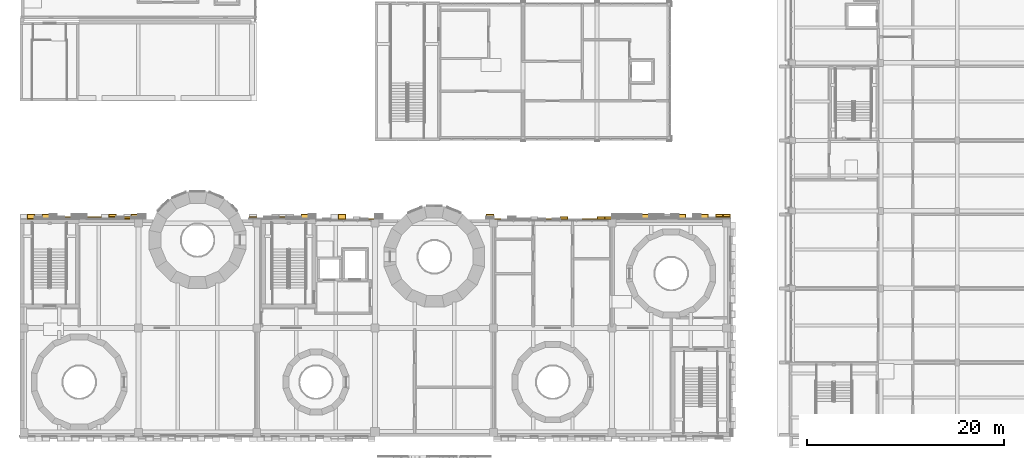
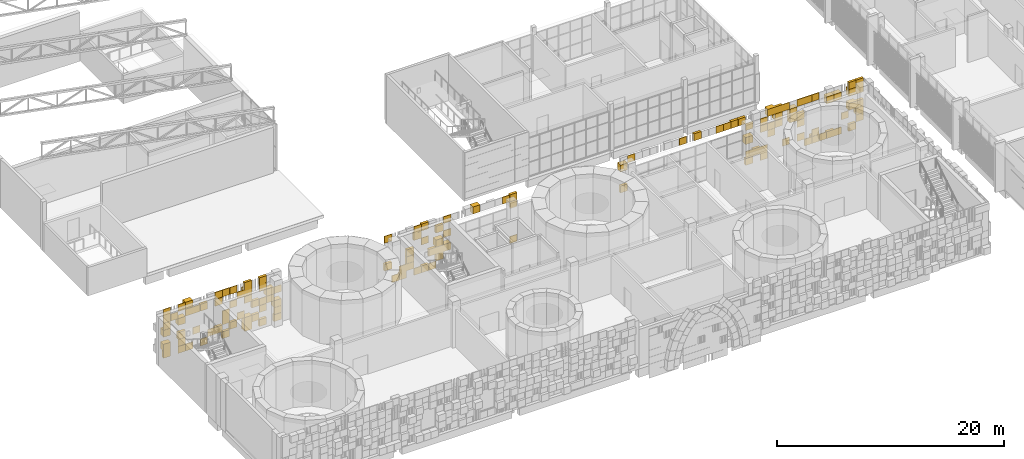
# One storey, part 99 of 125: 2 coverings.
"""IFC4 building model written with IfcOpenShell, lengths in metres."""

from ifc_helpers import new_model, si_unit, direction, frame, origin, origin_2d, place, context, subcontext, project, spatial, rectangle, extrude, material, layer, layer_set, type_object, element, save


model = new_model("IFC4")

# Units and contexts
model_context = context("Model", 3, precision=1e-05, world=origin(), true_north=direction((0.0, 1.0)))
body_context = subcontext(model_context, "Body", "Model", "MODEL_VIEW")
ifc_project = project(units=[si_unit("LENGTHUNIT", "METRE"), si_unit("AREAUNIT", "SQUARE_METRE"), si_unit("VOLUMEUNIT", "CUBIC_METRE"), si_unit("PLANEANGLEUNIT", "RADIAN"), si_unit("MASSUNIT", "GRAM", prefix="KILO")], contexts=[model_context])

# Site, building, storey
site_placement = place(None, origin())
site = spatial("IfcSite", under=ifc_project, at=site_placement, CompositionType="ELEMENT")
building_placement = place(site_placement, origin())
building = spatial("IfcBuilding", under=site, at=building_placement, Name="Sun Court Science Centre", CompositionType="ELEMENT")
storey_placement = place(building_placement, frame((0.0, 0.0, 6.0)))
storey = spatial("IfcBuildingStorey", under=building, at=storey_placement, Name="L01", CompositionType="ELEMENT", Elevation=6.0)

# Coverings
ifc_material_1 = material(Name="Terracotta shade 2", Category="masonry")
ifc_layer_1 = layer(ifc_material_1, 0.06005859375)
ifc_layer_set_1 = layer_set([ifc_layer_1], Name="Terracotta shade 2")
covering_type_1 = type_object("IfcCoveringType", Name="Terracotta pixel panel shade 2", PredefinedType="CLADDING", material=ifc_layer_set_1)
covering_1_placement = place(storey_placement, frame((0.0, 0.0, -6.0)))
element("IfcCovering", 1, at=covering_1_placement, inside=storey, type_object=covering_type_1, Name="Terracotta pixel cladding shade 2 north face L01", PredefinedType="CLADDING", context=body_context, shape_type="SweptSolid", body=[
    extrude(rectangle(XDim=0.739990234375, YDim=0.06005859375, at=origin_2d()), frame((2.625, 28.030029296875, 6.0048828125), z_axis=(0.0, 0.0, 1.0), x_axis=(1.0, 0.0, 0.0)), (0.0, 0.0, 1.0), 0.739990234375),
    extrude(rectangle(XDim=0.739990234375, YDim=0.260009765625, at=origin_2d()), frame((10.875, 28.1298828125, 6.0048828125), z_axis=(0.0, 0.0, 1.0), x_axis=(1.0, 0.0, 0.0)), (0.0, 0.0, 1.0), 0.739990234375),
    extrude(rectangle(XDim=0.739990234375, YDim=0.260009765625, at=origin_2d()), frame((12.375, 28.1298828125, 6.0048828125), z_axis=(0.0, 0.0, 1.0), x_axis=(1.0, 0.0, 0.0)), (0.0, 0.0, 1.0), 0.739990234375),
    extrude(rectangle(XDim=0.739990234375, YDim=0.06005859375, at=origin_2d()), frame((24.375, 28.030029296875, 6.0048828125), z_axis=(0.0, 0.0, 1.0), x_axis=(1.0, 0.0, 0.0)), (0.0, 0.0, 1.0), 0.739990234375),
    extrude(rectangle(XDim=0.739990234375, YDim=0.260009765625, at=origin_2d()), frame((25.125, 28.1298828125, 6.0048828125), z_axis=(0.0, 0.0, 1.0), x_axis=(1.0, 0.0, 0.0)), (0.0, 0.0, 1.0), 0.739990234375),
    extrude(rectangle(XDim=0.739990234375, YDim=0.260009765625, at=origin_2d()), frame((27.375, 28.1298828125, 6.0048828125), z_axis=(0.0, 0.0, 1.0), x_axis=(1.0, 0.0, 0.0)), (0.0, 0.0, 1.0), 0.739990234375),
    extrude(rectangle(XDim=0.739990234375, YDim=0.06005859375, at=origin_2d()), frame((36.375, 28.030029296875, 6.0048828125), z_axis=(0.0, 0.0, 1.0), x_axis=(1.0, 0.0, 0.0)), (0.0, 0.0, 1.0), 0.739990234375),
    extrude(rectangle(XDim=0.739990234375, YDim=0.06005859375, at=origin_2d()), frame((61.875, 28.030029296875, 6.0048828125), z_axis=(0.0, 0.0, 1.0), x_axis=(1.0, 0.0, 0.0)), (0.0, 0.0, 1.0), 0.739990234375),
    extrude(rectangle(XDim=0.739990234375, YDim=0.510009765625, at=origin_2d()), frame((67.125, 28.2548828125, 6.0048828125), z_axis=(0.0, 0.0, 1.0), x_axis=(1.0, 0.0, 0.0)), (0.0, 0.0, 1.0), 0.739990234375),
    extrude(rectangle(XDim=0.739990234375, YDim=0.06005859375, at=origin_2d()), frame((67.875, 28.030029296875, 6.0048828125), z_axis=(0.0, 0.0, 1.0), x_axis=(1.0, 0.0, 0.0)), (0.0, 0.0, 1.0), 0.739990234375),
    extrude(rectangle(XDim=0.739990234375, YDim=0.06005859375, at=origin_2d()), frame((5.625, 28.030029296875, 6.7548828125), z_axis=(0.0, 0.0, 1.0), x_axis=(1.0, 0.0, 0.0)), (0.0, 0.0, 1.0), 0.739990234375),
    extrude(rectangle(XDim=0.739990234375, YDim=0.260009765625, at=origin_2d()), frame((6.375, 28.1298828125, 6.7548828125), z_axis=(0.0, 0.0, 1.0), x_axis=(1.0, 0.0, 0.0)), (0.0, 0.0, 1.0), 0.739990234375),
    extrude(rectangle(XDim=0.739990234375, YDim=0.260009765625, at=origin_2d()), frame((7.875, 28.1298828125, 6.7548828125), z_axis=(0.0, 0.0, 1.0), x_axis=(1.0, 0.0, 0.0)), (0.0, 0.0, 1.0), 0.739990234375),
    extrude(rectangle(XDim=0.739990234375, YDim=0.260009765625, at=origin_2d()), frame((10.125, 28.1298828125, 6.7548828125), z_axis=(0.0, 0.0, 1.0), x_axis=(1.0, 0.0, 0.0)), (0.0, 0.0, 1.0), 0.739990234375),
    extrude(rectangle(XDim=0.739990234375, YDim=0.06005859375, at=origin_2d()), frame((25.125, 28.030029296875, 6.7548828125), z_axis=(0.0, 0.0, 1.0), x_axis=(1.0, 0.0, 0.0)), (0.0, 0.0, 1.0), 0.739990234375),
    extrude(rectangle(XDim=0.739990234375, YDim=0.260009765625, at=origin_2d()), frame((25.875, 28.1298828125, 6.7548828125), z_axis=(0.0, 0.0, 1.0), x_axis=(1.0, 0.0, 0.0)), (0.0, 0.0, 1.0), 0.739990234375),
    extrude(rectangle(XDim=0.739990234375, YDim=0.260009765625, at=origin_2d()), frame((28.875, 28.1298828125, 6.7548828125), z_axis=(0.0, 0.0, 1.0), x_axis=(1.0, 0.0, 0.0)), (0.0, 0.0, 1.0), 0.739990234375),
    extrude(rectangle(XDim=0.739990234375, YDim=0.06005859375, at=origin_2d()), frame((60.375, 28.030029296875, 6.7548828125), z_axis=(0.0, 0.0, 1.0), x_axis=(1.0, 0.0, 0.0)), (0.0, 0.0, 1.0), 0.739990234375),
    extrude(rectangle(XDim=0.739990234375, YDim=0.260009765625, at=origin_2d()), frame((61.125, 28.1298828125, 6.7548828125), z_axis=(0.0, 0.0, 1.0), x_axis=(1.0, 0.0, 0.0)), (0.0, 0.0, 1.0), 0.739990234375),
    extrude(rectangle(XDim=0.739990234375, YDim=0.06005859375, at=origin_2d()), frame((61.875, 28.030029296875, 6.7548828125), z_axis=(0.0, 0.0, 1.0), x_axis=(1.0, 0.0, 0.0)), (0.0, 0.0, 1.0), 0.739990234375),
    extrude(rectangle(XDim=0.739990234375, YDim=0.06005859375, at=origin_2d()), frame((64.125, 28.030029296875, 6.7548828125), z_axis=(0.0, 0.0, 1.0), x_axis=(1.0, 0.0, 0.0)), (0.0, 0.0, 1.0), 0.739990234375),
    extrude(rectangle(XDim=0.739990234375, YDim=0.06005859375, at=origin_2d()), frame((65.625, 28.030029296875, 6.7548828125), z_axis=(0.0, 0.0, 1.0), x_axis=(1.0, 0.0, 0.0)), (0.0, 0.0, 1.0), 0.739990234375),
    extrude(rectangle(XDim=0.739990234375, YDim=0.06005859375, at=origin_2d()), frame((67.125, 28.030029296875, 6.7548828125), z_axis=(0.0, 0.0, 1.0), x_axis=(1.0, 0.0, 0.0)), (0.0, 0.0, 1.0), 0.739990234375),
    extrude(rectangle(XDim=0.739990234375, YDim=0.06005859375, at=origin_2d()), frame((71.625, 28.030029296875, 6.7548828125), z_axis=(0.0, 0.0, 1.0), x_axis=(1.0, 0.0, 0.0)), (0.0, 0.0, 1.0), 0.739990234375),
    extrude(rectangle(XDim=0.739990234375, YDim=0.06005859375, at=origin_2d()), frame((4.125, 28.030029296875, 7.5048828125), z_axis=(0.0, 0.0, 1.0), x_axis=(1.0, 0.0, 0.0)), (0.0, 0.0, 1.0), 0.739990234375),
    extrude(rectangle(XDim=0.739990234375, YDim=0.06005859375, at=origin_2d()), frame((7.125, 28.030029296875, 7.5048828125), z_axis=(0.0, 0.0, 1.0), x_axis=(1.0, 0.0, 0.0)), (0.0, 0.0, 1.0), 0.739990234375),
    extrude(rectangle(XDim=0.739990234375, YDim=0.06005859375, at=origin_2d()), frame((8.625, 28.030029296875, 7.5048828125), z_axis=(0.0, 0.0, 1.0), x_axis=(1.0, 0.0, 0.0)), (0.0, 0.0, 1.0), 0.739990234375),
    extrude(rectangle(XDim=0.739990234375, YDim=0.06005859375, at=origin_2d()), frame((10.875, 28.030029296875, 7.5048828125), z_axis=(0.0, 0.0, 1.0), x_axis=(1.0, 0.0, 0.0)), (0.0, 0.0, 1.0), 0.739990234375),
    extrude(rectangle(XDim=0.739990234375, YDim=0.260009765625, at=origin_2d()), frame((25.875, 28.1298828125, 7.5048828125), z_axis=(0.0, 0.0, 1.0), x_axis=(1.0, 0.0, 0.0)), (0.0, 0.0, 1.0), 0.739990234375),
    extrude(rectangle(XDim=0.739990234375, YDim=0.260009765625, at=origin_2d()), frame((28.125, 28.1298828125, 7.5048828125), z_axis=(0.0, 0.0, 1.0), x_axis=(1.0, 0.0, 0.0)), (0.0, 0.0, 1.0), 0.739990234375),
    extrude(rectangle(XDim=0.739990234375, YDim=0.06005859375, at=origin_2d()), frame((28.875, 28.030029296875, 7.5048828125), z_axis=(0.0, 0.0, 1.0), x_axis=(1.0, 0.0, 0.0)), (0.0, 0.0, 1.0), 0.739990234375),
    extrude(rectangle(XDim=0.739990234375, YDim=0.510009765625, at=origin_2d()), frame((29.625, 28.2548828125, 7.5048828125), z_axis=(0.0, 0.0, 1.0), x_axis=(1.0, 0.0, 0.0)), (0.0, 0.0, 1.0), 0.739990234375),
    extrude(rectangle(XDim=0.739990234375, YDim=0.06005859375, at=origin_2d()), frame((70.125, 28.030029296875, 7.5048828125), z_axis=(0.0, 0.0, 1.0), x_axis=(1.0, 0.0, 0.0)), (0.0, 0.0, 1.0), 0.739990234375),
    extrude(rectangle(XDim=0.739990234375, YDim=0.510009765625, at=origin_2d()), frame((1.125, 28.2548828125, 8.2548828125), z_axis=(0.0, 0.0, 1.0), x_axis=(1.0, 0.0, 0.0)), (0.0, 0.0, 1.0), 0.739990234375),
    extrude(rectangle(XDim=0.739990234375, YDim=0.06005859375, at=origin_2d()), frame((7.125, 28.030029296875, 8.2548828125), z_axis=(0.0, 0.0, 1.0), x_axis=(1.0, 0.0, 0.0)), (0.0, 0.0, 1.0), 0.739990234375),
    extrude(rectangle(XDim=0.739990234375, YDim=0.260009765625, at=origin_2d()), frame((10.125, 28.1298828125, 8.2548828125), z_axis=(0.0, 0.0, 1.0), x_axis=(1.0, 0.0, 0.0)), (0.0, 0.0, 1.0), 0.739990234375),
    extrude(rectangle(XDim=0.739990234375, YDim=0.06005859375, at=origin_2d()), frame((11.625, 28.030029296875, 8.2548828125), z_axis=(0.0, 0.0, 1.0), x_axis=(1.0, 0.0, 0.0)), (0.0, 0.0, 1.0), 0.739990234375),
    extrude(rectangle(XDim=0.739990234375, YDim=0.510009765625, at=origin_2d()), frame((70.875, 28.2548828125, 8.2548828125), z_axis=(0.0, 0.0, 1.0), x_axis=(1.0, 0.0, 0.0)), (0.0, 0.0, 1.0), 0.739990234375),
    extrude(rectangle(XDim=0.739990234375, YDim=0.06005859375, at=origin_2d()), frame((9.375, 28.030029296875, 9.0048828125), z_axis=(0.0, 0.0, 1.0), x_axis=(1.0, 0.0, 0.0)), (0.0, 0.0, 1.0), 0.739990234375),
    extrude(rectangle(XDim=0.739990234375, YDim=0.06005859375, at=origin_2d()), frame((12.375, 28.030029296875, 9.0048828125), z_axis=(0.0, 0.0, 1.0), x_axis=(1.0, 0.0, 0.0)), (0.0, 0.0, 1.0), 0.739990234375),
    extrude(rectangle(XDim=0.739990234375, YDim=0.06005859375, at=origin_2d()), frame((27.375, 28.030029296875, 9.0048828125), z_axis=(0.0, 0.0, 1.0), x_axis=(1.0, 0.0, 0.0)), (0.0, 0.0, 1.0), 0.739990234375),
    extrude(rectangle(XDim=0.739990234375, YDim=0.06005859375, at=origin_2d()), frame((29.625, 28.030029296875, 9.0048828125), z_axis=(0.0, 0.0, 1.0), x_axis=(1.0, 0.0, 0.0)), (0.0, 0.0, 1.0), 0.739990234375),
    extrude(rectangle(XDim=0.739990234375, YDim=0.06005859375, at=origin_2d()), frame((61.875, 28.030029296875, 9.0048828125), z_axis=(0.0, 0.0, 1.0), x_axis=(1.0, 0.0, 0.0)), (0.0, 0.0, 1.0), 0.739990234375),
    extrude(rectangle(XDim=0.739990234375, YDim=0.06005859375, at=origin_2d()), frame((63.375, 28.030029296875, 9.0048828125), z_axis=(0.0, 0.0, 1.0), x_axis=(1.0, 0.0, 0.0)), (0.0, 0.0, 1.0), 0.739990234375),
    extrude(rectangle(XDim=0.739990234375, YDim=0.260009765625, at=origin_2d()), frame((65.625, 28.1298828125, 9.0048828125), z_axis=(0.0, 0.0, 1.0), x_axis=(1.0, 0.0, 0.0)), (0.0, 0.0, 1.0), 0.739990234375),
    extrude(rectangle(XDim=0.739990234375, YDim=0.06005859375, at=origin_2d()), frame((1.125, 28.030029296875, 9.7548828125), z_axis=(0.0, 0.0, 1.0), x_axis=(1.0, 0.0, 0.0)), (0.0, 0.0, 1.0), 0.739990234375),
    extrude(rectangle(XDim=0.739990234375, YDim=0.06005859375, at=origin_2d()), frame((1.875, 28.030029296875, 9.7548828125), z_axis=(0.0, 0.0, 1.0), x_axis=(1.0, 0.0, 0.0)), (0.0, 0.0, 1.0), 0.739990234375),
    extrude(rectangle(XDim=0.739990234375, YDim=0.06005859375, at=origin_2d()), frame((10.875, 28.030029296875, 9.7548828125), z_axis=(0.0, 0.0, 1.0), x_axis=(1.0, 0.0, 0.0)), (0.0, 0.0, 1.0), 0.739990234375),
    extrude(rectangle(XDim=0.739990234375, YDim=0.260009765625, at=origin_2d()), frame((28.875, 28.1298828125, 9.7548828125), z_axis=(0.0, 0.0, 1.0), x_axis=(1.0, 0.0, 0.0)), (0.0, 0.0, 1.0), 0.739990234375),
    extrude(rectangle(XDim=0.739990234375, YDim=0.06005859375, at=origin_2d()), frame((36.375, 28.030029296875, 9.7548828125), z_axis=(0.0, 0.0, 1.0), x_axis=(1.0, 0.0, 0.0)), (0.0, 0.0, 1.0), 0.739990234375),
    extrude(rectangle(XDim=0.739990234375, YDim=0.510009765625, at=origin_2d()), frame((47.625, 28.2548828125, 9.7548828125), z_axis=(0.0, 0.0, 1.0), x_axis=(1.0, 0.0, 0.0)), (0.0, 0.0, 1.0), 0.739990234375),
    extrude(rectangle(XDim=0.739990234375, YDim=0.510009765625, at=origin_2d()), frame((69.375, 28.2548828125, 9.7548828125), z_axis=(0.0, 0.0, 1.0), x_axis=(1.0, 0.0, 0.0)), (0.0, 0.0, 1.0), 0.739990234375),
    extrude(rectangle(XDim=0.739990234375, YDim=0.510009765625, at=origin_2d()), frame((70.875, 28.2548828125, 9.7548828125), z_axis=(0.0, 0.0, 1.0), x_axis=(1.0, 0.0, 0.0)), (0.0, 0.0, 1.0), 0.739990234375),
    extrude(rectangle(XDim=0.739990234375, YDim=0.06005859375, at=origin_2d()), frame((1.125, 28.030029296875, 10.5048828125), z_axis=(0.0, 0.0, 1.0), x_axis=(1.0, 0.0, 0.0)), (0.0, 0.0, 1.0), 0.739990234375),
    extrude(rectangle(XDim=0.739990234375, YDim=0.510009765625, at=origin_2d()), frame((3.375, 28.2548828125, 10.5048828125), z_axis=(0.0, 0.0, 1.0), x_axis=(1.0, 0.0, 0.0)), (0.0, 0.0, 1.0), 0.739990234375),
    extrude(rectangle(XDim=0.739990234375, YDim=0.06005859375, at=origin_2d()), frame((6.375, 28.030029296875, 10.5048828125), z_axis=(0.0, 0.0, 1.0), x_axis=(1.0, 0.0, 0.0)), (0.0, 0.0, 1.0), 0.739990234375),
    extrude(rectangle(XDim=0.739990234375, YDim=0.260009765625, at=origin_2d()), frame((10.875, 28.1298828125, 10.5048828125), z_axis=(0.0, 0.0, 1.0), x_axis=(1.0, 0.0, 0.0)), (0.0, 0.0, 1.0), 0.739990234375),
    extrude(rectangle(XDim=0.739990234375, YDim=0.260009765625, at=origin_2d()), frame((27.375, 28.1298828125, 10.5048828125), z_axis=(0.0, 0.0, 1.0), x_axis=(1.0, 0.0, 0.0)), (0.0, 0.0, 1.0), 0.739990234375),
    extrude(rectangle(XDim=0.739990234375, YDim=0.510009765625, at=origin_2d()), frame((32.625, 28.2548828125, 10.5048828125), z_axis=(0.0, 0.0, 1.0), x_axis=(1.0, 0.0, 0.0)), (0.0, 0.0, 1.0), 0.739990234375),
    extrude(rectangle(XDim=0.739990234375, YDim=0.06005859375, at=origin_2d()), frame((53.625, 28.030029296875, 10.5048828125), z_axis=(0.0, 0.0, 1.0), x_axis=(1.0, 0.0, 0.0)), (0.0, 0.0, 1.0), 0.739990234375),
    extrude(rectangle(XDim=0.739990234375, YDim=0.06005859375, at=origin_2d()), frame((58.125, 28.030029296875, 10.5048828125), z_axis=(0.0, 0.0, 1.0), x_axis=(1.0, 0.0, 0.0)), (0.0, 0.0, 1.0), 0.739990234375),
    extrude(rectangle(XDim=0.739990234375, YDim=0.260009765625, at=origin_2d()), frame((59.625, 28.1298828125, 10.5048828125), z_axis=(0.0, 0.0, 1.0), x_axis=(1.0, 0.0, 0.0)), (0.0, 0.0, 1.0), 0.739990234375),
    extrude(rectangle(XDim=0.739990234375, YDim=0.510009765625, at=origin_2d()), frame((62.625, 28.2548828125, 10.5048828125), z_axis=(0.0, 0.0, 1.0), x_axis=(1.0, 0.0, 0.0)), (0.0, 0.0, 1.0), 0.739990234375),
    extrude(rectangle(XDim=0.739990234375, YDim=0.260009765625, at=origin_2d()), frame((63.375, 28.1298828125, 10.5048828125), z_axis=(0.0, 0.0, 1.0), x_axis=(1.0, 0.0, 0.0)), (0.0, 0.0, 1.0), 0.739990234375),
    extrude(rectangle(XDim=0.739990234375, YDim=0.06005859375, at=origin_2d()), frame((64.125, 28.030029296875, 10.5048828125), z_axis=(0.0, 0.0, 1.0), x_axis=(1.0, 0.0, 0.0)), (0.0, 0.0, 1.0), 0.739990234375),
    extrude(rectangle(XDim=0.739990234375, YDim=0.06005859375, at=origin_2d()), frame((67.125, 28.030029296875, 10.5048828125), z_axis=(0.0, 0.0, 1.0), x_axis=(1.0, 0.0, 0.0)), (0.0, 0.0, 1.0), 0.739990234375),
    extrude(rectangle(XDim=0.739990234375, YDim=0.510009765625, at=origin_2d()), frame((71.625, 28.2548828125, 7.5048828125), z_axis=(0.0, 0.0, 1.0), x_axis=(1.0, 0.0, 0.0)), (0.0, 0.0, 1.0), 0.739990234375),
    extrude(rectangle(XDim=0.739990234375, YDim=0.260009765625, at=origin_2d()), frame((71.625, 28.1298828125, 10.5048828125), z_axis=(0.0, 0.0, 1.0), x_axis=(1.0, 0.0, 0.0)), (0.0, 0.0, 1.0), 0.739990234375),
    extrude(rectangle(XDim=0.739990234375, YDim=0.260009765625, at=origin_2d()), frame((1.125, 28.1298828125, 6.0048828125), z_axis=(0.0, 0.0, 1.0), x_axis=(1.0, 0.0, 0.0)), (0.0, 0.0, 1.0), 0.739990234375),
    extrude(rectangle(XDim=0.739990234375, YDim=0.510009765625, at=origin_2d()), frame((1.125, 28.2548828125, 6.7548828125), z_axis=(0.0, 0.0, 1.0), x_axis=(1.0, 0.0, 0.0)), (0.0, 0.0, 1.0), 0.739990234375),
    extrude(rectangle(XDim=0.739990234375, YDim=0.260009765625, at=origin_2d()), frame((71.625, 28.1298828125, 8.2548828125), z_axis=(0.0, 0.0, 1.0), x_axis=(1.0, 0.0, 0.0)), (0.0, 0.0, 1.0), 0.739990234375),
    extrude(rectangle(XDim=0.739990234375, YDim=0.260009765625, at=origin_2d()), frame((71.625, 28.1298828125, 9.7548828125), z_axis=(0.0, 0.0, 1.0), x_axis=(1.0, 0.0, 0.0)), (0.0, 0.0, 1.0), 0.739990234375),
    extrude(rectangle(XDim=0.739990234375, YDim=0.06005859375, at=origin_2d()), frame((1.125, 28.030029296875, 9.0048828125), z_axis=(0.0, 0.0, 1.0), x_axis=(1.0, 0.0, 0.0)), (0.0, 0.0, 1.0), 0.739990234375),
])
ifc_material_2 = material(Name="Terracotta shade 3", Category="masonry")
ifc_layer_2 = layer(ifc_material_2, 0.06005859375)
ifc_layer_set_2 = layer_set([ifc_layer_2], Name="Terracotta shade 3")
covering_type_2 = type_object("IfcCoveringType", Name="Terracotta pixel panel shade 3", PredefinedType="CLADDING", material=ifc_layer_set_2)
covering_2_placement = place(storey_placement, frame((0.0, 0.0, -6.0)))
element("IfcCovering", 2, at=covering_2_placement, inside=storey, type_object=covering_type_2, Name="Terracotta pixel cladding shade 3 north face L01", PredefinedType="CLADDING", context=body_context, shape_type="SweptSolid", body=[
    extrude(rectangle(XDim=0.739990234375, YDim=0.06005859375, at=origin_2d()), frame((3.375, 28.030029296875, 6.0048828125), z_axis=(0.0, 0.0, 1.0), x_axis=(1.0, 0.0, 0.0)), (0.0, 0.0, 1.0), 0.739990234375),
    extrude(rectangle(XDim=0.739990234375, YDim=0.06005859375, at=origin_2d()), frame((4.875, 28.030029296875, 6.0048828125), z_axis=(0.0, 0.0, 1.0), x_axis=(1.0, 0.0, 0.0)), (0.0, 0.0, 1.0), 0.739990234375),
    extrude(rectangle(XDim=0.739990234375, YDim=0.260009765625, at=origin_2d()), frame((7.125, 28.1298828125, 6.0048828125), z_axis=(0.0, 0.0, 1.0), x_axis=(1.0, 0.0, 0.0)), (0.0, 0.0, 1.0), 0.739990234375),
    extrude(rectangle(XDim=0.739990234375, YDim=0.510009765625, at=origin_2d()), frame((9.375, 28.2548828125, 6.0048828125), z_axis=(0.0, 0.0, 1.0), x_axis=(1.0, 0.0, 0.0)), (0.0, 0.0, 1.0), 0.739990234375),
    extrude(rectangle(XDim=0.739990234375, YDim=0.06005859375, at=origin_2d()), frame((26.625, 28.030029296875, 6.0048828125), z_axis=(0.0, 0.0, 1.0), x_axis=(1.0, 0.0, 0.0)), (0.0, 0.0, 1.0), 0.739990234375),
    extrude(rectangle(XDim=0.739990234375, YDim=0.06005859375, at=origin_2d()), frame((28.125, 28.030029296875, 6.0048828125), z_axis=(0.0, 0.0, 1.0), x_axis=(1.0, 0.0, 0.0)), (0.0, 0.0, 1.0), 0.739990234375),
    extrude(rectangle(XDim=0.739990234375, YDim=0.260009765625, at=origin_2d()), frame((60.375, 28.1298828125, 6.0048828125), z_axis=(0.0, 0.0, 1.0), x_axis=(1.0, 0.0, 0.0)), (0.0, 0.0, 1.0), 0.739990234375),
    extrude(rectangle(XDim=0.739990234375, YDim=0.06005859375, at=origin_2d()), frame((66.375, 28.030029296875, 6.0048828125), z_axis=(0.0, 0.0, 1.0), x_axis=(1.0, 0.0, 0.0)), (0.0, 0.0, 1.0), 0.739990234375),
    extrude(rectangle(XDim=0.739990234375, YDim=0.260009765625, at=origin_2d()), frame((68.625, 28.1298828125, 6.0048828125), z_axis=(0.0, 0.0, 1.0), x_axis=(1.0, 0.0, 0.0)), (0.0, 0.0, 1.0), 0.739990234375),
    extrude(rectangle(XDim=0.739990234375, YDim=0.06005859375, at=origin_2d()), frame((69.375, 28.030029296875, 6.0048828125), z_axis=(0.0, 0.0, 1.0), x_axis=(1.0, 0.0, 0.0)), (0.0, 0.0, 1.0), 0.739990234375),
    extrude(rectangle(XDim=0.739990234375, YDim=0.510009765625, at=origin_2d()), frame((9.375, 28.2548828125, 6.7548828125), z_axis=(0.0, 0.0, 1.0), x_axis=(1.0, 0.0, 0.0)), (0.0, 0.0, 1.0), 0.739990234375),
    extrude(rectangle(XDim=0.739990234375, YDim=0.06005859375, at=origin_2d()), frame((12.375, 28.030029296875, 6.7548828125), z_axis=(0.0, 0.0, 1.0), x_axis=(1.0, 0.0, 0.0)), (0.0, 0.0, 1.0), 0.739990234375),
    extrude(rectangle(XDim=0.739990234375, YDim=0.510009765625, at=origin_2d()), frame((12.375, 28.2548828125, 7.5048828125), z_axis=(0.0, 0.0, 1.0), x_axis=(1.0, 0.0, 0.0)), (0.0, 0.0, 1.0), 0.739990234375),
    extrude(rectangle(XDim=0.739990234375, YDim=0.260009765625, at=origin_2d()), frame((23.625, 28.1298828125, 7.5048828125), z_axis=(0.0, 0.0, 1.0), x_axis=(1.0, 0.0, 0.0)), (0.0, 0.0, 1.0), 0.739990234375),
    extrude(rectangle(XDim=0.739990234375, YDim=0.260009765625, at=origin_2d()), frame((47.625, 28.1298828125, 7.5048828125), z_axis=(0.0, 0.0, 1.0), x_axis=(1.0, 0.0, 0.0)), (0.0, 0.0, 1.0), 0.739990234375),
    extrude(rectangle(XDim=0.739990234375, YDim=0.06005859375, at=origin_2d()), frame((10.875, 28.030029296875, 8.2548828125), z_axis=(0.0, 0.0, 1.0), x_axis=(1.0, 0.0, 0.0)), (0.0, 0.0, 1.0), 0.739990234375),
    extrude(rectangle(XDim=0.739990234375, YDim=0.260009765625, at=origin_2d()), frame((25.875, 28.1298828125, 8.2548828125), z_axis=(0.0, 0.0, 1.0), x_axis=(1.0, 0.0, 0.0)), (0.0, 0.0, 1.0), 0.739990234375),
    extrude(rectangle(XDim=0.739990234375, YDim=0.510009765625, at=origin_2d()), frame((28.875, 28.2548828125, 8.2548828125), z_axis=(0.0, 0.0, 1.0), x_axis=(1.0, 0.0, 0.0)), (0.0, 0.0, 1.0), 0.739990234375),
    extrude(rectangle(XDim=0.739990234375, YDim=0.510009765625, at=origin_2d()), frame((60.375, 28.2548828125, 8.2548828125), z_axis=(0.0, 0.0, 1.0), x_axis=(1.0, 0.0, 0.0)), (0.0, 0.0, 1.0), 0.739990234375),
    extrude(rectangle(XDim=0.739990234375, YDim=0.06005859375, at=origin_2d()), frame((62.625, 28.030029296875, 8.2548828125), z_axis=(0.0, 0.0, 1.0), x_axis=(1.0, 0.0, 0.0)), (0.0, 0.0, 1.0), 0.739990234375),
    extrude(rectangle(XDim=0.739990234375, YDim=0.06005859375, at=origin_2d()), frame((65.625, 28.030029296875, 8.2548828125), z_axis=(0.0, 0.0, 1.0), x_axis=(1.0, 0.0, 0.0)), (0.0, 0.0, 1.0), 0.739990234375),
    extrude(rectangle(XDim=0.739990234375, YDim=0.510009765625, at=origin_2d()), frame((2.625, 28.2548828125, 9.0048828125), z_axis=(0.0, 0.0, 1.0), x_axis=(1.0, 0.0, 0.0)), (0.0, 0.0, 1.0), 0.739990234375),
    extrude(rectangle(XDim=0.739990234375, YDim=0.06005859375, at=origin_2d()), frame((7.875, 28.030029296875, 9.0048828125), z_axis=(0.0, 0.0, 1.0), x_axis=(1.0, 0.0, 0.0)), (0.0, 0.0, 1.0), 0.739990234375),
    extrude(rectangle(XDim=0.739990234375, YDim=0.510009765625, at=origin_2d()), frame((11.625, 28.2548828125, 9.0048828125), z_axis=(0.0, 0.0, 1.0), x_axis=(1.0, 0.0, 0.0)), (0.0, 0.0, 1.0), 0.739990234375),
    extrude(rectangle(XDim=0.739990234375, YDim=0.06005859375, at=origin_2d()), frame((62.625, 28.030029296875, 9.0048828125), z_axis=(0.0, 0.0, 1.0), x_axis=(1.0, 0.0, 0.0)), (0.0, 0.0, 1.0), 0.739990234375),
    extrude(rectangle(XDim=0.739990234375, YDim=0.510009765625, at=origin_2d()), frame((64.875, 28.2548828125, 9.0048828125), z_axis=(0.0, 0.0, 1.0), x_axis=(1.0, 0.0, 0.0)), (0.0, 0.0, 1.0), 0.739990234375),
    extrude(rectangle(XDim=0.739990234375, YDim=0.06005859375, at=origin_2d()), frame((3.375, 28.030029296875, 9.7548828125), z_axis=(0.0, 0.0, 1.0), x_axis=(1.0, 0.0, 0.0)), (0.0, 0.0, 1.0), 0.739990234375),
    extrude(rectangle(XDim=0.739990234375, YDim=0.06005859375, at=origin_2d()), frame((4.125, 28.030029296875, 9.7548828125), z_axis=(0.0, 0.0, 1.0), x_axis=(1.0, 0.0, 0.0)), (0.0, 0.0, 1.0), 0.739990234375),
    extrude(rectangle(XDim=0.739990234375, YDim=0.260009765625, at=origin_2d()), frame((4.875, 28.1298828125, 9.7548828125), z_axis=(0.0, 0.0, 1.0), x_axis=(1.0, 0.0, 0.0)), (0.0, 0.0, 1.0), 0.739990234375),
    extrude(rectangle(XDim=0.739990234375, YDim=0.06005859375, at=origin_2d()), frame((6.375, 28.030029296875, 9.7548828125), z_axis=(0.0, 0.0, 1.0), x_axis=(1.0, 0.0, 0.0)), (0.0, 0.0, 1.0), 0.739990234375),
    extrude(rectangle(XDim=0.739990234375, YDim=0.06005859375, at=origin_2d()), frame((8.625, 28.030029296875, 9.7548828125), z_axis=(0.0, 0.0, 1.0), x_axis=(1.0, 0.0, 0.0)), (0.0, 0.0, 1.0), 0.739990234375),
    extrude(rectangle(XDim=0.739990234375, YDim=0.510009765625, at=origin_2d()), frame((9.375, 28.2548828125, 9.7548828125), z_axis=(0.0, 0.0, 1.0), x_axis=(1.0, 0.0, 0.0)), (0.0, 0.0, 1.0), 0.739990234375),
    extrude(rectangle(XDim=0.739990234375, YDim=0.260009765625, at=origin_2d()), frame((26.625, 28.1298828125, 9.7548828125), z_axis=(0.0, 0.0, 1.0), x_axis=(1.0, 0.0, 0.0)), (0.0, 0.0, 1.0), 0.739990234375),
    extrude(rectangle(XDim=0.739990234375, YDim=0.06005859375, at=origin_2d()), frame((60.375, 28.030029296875, 9.7548828125), z_axis=(0.0, 0.0, 1.0), x_axis=(1.0, 0.0, 0.0)), (0.0, 0.0, 1.0), 0.739990234375),
    extrude(rectangle(XDim=0.739990234375, YDim=0.06005859375, at=origin_2d()), frame((61.875, 28.030029296875, 9.7548828125), z_axis=(0.0, 0.0, 1.0), x_axis=(1.0, 0.0, 0.0)), (0.0, 0.0, 1.0), 0.739990234375),
    extrude(rectangle(XDim=0.739990234375, YDim=0.510009765625, at=origin_2d()), frame((63.375, 28.2548828125, 9.7548828125), z_axis=(0.0, 0.0, 1.0), x_axis=(1.0, 0.0, 0.0)), (0.0, 0.0, 1.0), 0.739990234375),
    extrude(rectangle(XDim=0.739990234375, YDim=0.510009765625, at=origin_2d()), frame((64.875, 28.2548828125, 9.7548828125), z_axis=(0.0, 0.0, 1.0), x_axis=(1.0, 0.0, 0.0)), (0.0, 0.0, 1.0), 0.739990234375),
    extrude(rectangle(XDim=0.739990234375, YDim=0.510009765625, at=origin_2d()), frame((68.625, 28.2548828125, 9.7548828125), z_axis=(0.0, 0.0, 1.0), x_axis=(1.0, 0.0, 0.0)), (0.0, 0.0, 1.0), 0.739990234375),
    extrude(rectangle(XDim=0.739990234375, YDim=0.06005859375, at=origin_2d()), frame((7.125, 28.030029296875, 10.5048828125), z_axis=(0.0, 0.0, 1.0), x_axis=(1.0, 0.0, 0.0)), (0.0, 0.0, 1.0), 0.739990234375),
    extrude(rectangle(XDim=0.739990234375, YDim=0.06005859375, at=origin_2d()), frame((7.875, 28.030029296875, 10.5048828125), z_axis=(0.0, 0.0, 1.0), x_axis=(1.0, 0.0, 0.0)), (0.0, 0.0, 1.0), 0.739990234375),
    extrude(rectangle(XDim=0.739990234375, YDim=0.260009765625, at=origin_2d()), frame((9.375, 28.1298828125, 10.5048828125), z_axis=(0.0, 0.0, 1.0), x_axis=(1.0, 0.0, 0.0)), (0.0, 0.0, 1.0), 0.739990234375),
    extrude(rectangle(XDim=0.739990234375, YDim=0.06005859375, at=origin_2d()), frame((23.625, 28.030029296875, 10.5048828125), z_axis=(0.0, 0.0, 1.0), x_axis=(1.0, 0.0, 0.0)), (0.0, 0.0, 1.0), 0.739990234375),
    extrude(rectangle(XDim=0.739990234375, YDim=0.06005859375, at=origin_2d()), frame((26.625, 28.030029296875, 10.5048828125), z_axis=(0.0, 0.0, 1.0), x_axis=(1.0, 0.0, 0.0)), (0.0, 0.0, 1.0), 0.739990234375),
    extrude(rectangle(XDim=0.739990234375, YDim=0.06005859375, at=origin_2d()), frame((29.625, 28.030029296875, 10.5048828125), z_axis=(0.0, 0.0, 1.0), x_axis=(1.0, 0.0, 0.0)), (0.0, 0.0, 1.0), 0.739990234375),
    extrude(rectangle(XDim=0.739990234375, YDim=0.06005859375, at=origin_2d()), frame((35.625, 28.030029296875, 10.5048828125), z_axis=(0.0, 0.0, 1.0), x_axis=(1.0, 0.0, 0.0)), (0.0, 0.0, 1.0), 0.739990234375),
    extrude(rectangle(XDim=0.739990234375, YDim=0.260009765625, at=origin_2d()), frame((36.375, 28.1298828125, 10.5048828125), z_axis=(0.0, 0.0, 1.0), x_axis=(1.0, 0.0, 0.0)), (0.0, 0.0, 1.0), 0.739990234375),
    extrude(rectangle(XDim=0.739990234375, YDim=0.06005859375, at=origin_2d()), frame((48.375, 28.030029296875, 10.5048828125), z_axis=(0.0, 0.0, 1.0), x_axis=(1.0, 0.0, 0.0)), (0.0, 0.0, 1.0), 0.739990234375),
    extrude(rectangle(XDim=0.739990234375, YDim=0.260009765625, at=origin_2d()), frame((55.125, 28.1298828125, 10.5048828125), z_axis=(0.0, 0.0, 1.0), x_axis=(1.0, 0.0, 0.0)), (0.0, 0.0, 1.0), 0.739990234375),
    extrude(rectangle(XDim=0.739990234375, YDim=0.06005859375, at=origin_2d()), frame((57.375, 28.030029296875, 10.5048828125), z_axis=(0.0, 0.0, 1.0), x_axis=(1.0, 0.0, 0.0)), (0.0, 0.0, 1.0), 0.739990234375),
    extrude(rectangle(XDim=0.739990234375, YDim=0.260009765625, at=origin_2d()), frame((58.875, 28.1298828125, 10.5048828125), z_axis=(0.0, 0.0, 1.0), x_axis=(1.0, 0.0, 0.0)), (0.0, 0.0, 1.0), 0.739990234375),
    extrude(rectangle(XDim=0.739990234375, YDim=0.06005859375, at=origin_2d()), frame((65.625, 28.030029296875, 10.5048828125), z_axis=(0.0, 0.0, 1.0), x_axis=(1.0, 0.0, 0.0)), (0.0, 0.0, 1.0), 0.739990234375),
    extrude(rectangle(XDim=0.739990234375, YDim=0.06005859375, at=origin_2d()), frame((66.375, 28.030029296875, 10.5048828125), z_axis=(0.0, 0.0, 1.0), x_axis=(1.0, 0.0, 0.0)), (0.0, 0.0, 1.0), 0.739990234375),
    extrude(rectangle(XDim=0.739990234375, YDim=0.260009765625, at=origin_2d()), frame((70.875, 28.1298828125, 10.5048828125), z_axis=(0.0, 0.0, 1.0), x_axis=(1.0, 0.0, 0.0)), (0.0, 0.0, 1.0), 0.739990234375),
    extrude(rectangle(XDim=0.739990234375, YDim=0.06005859375, at=origin_2d()), frame((2.625, 28.030029296875, 6.7548828125), z_axis=(0.0, 0.0, 1.0), x_axis=(1.0, 0.0, 0.0)), (0.0, 0.0, 1.0), 0.739990234375),
    extrude(rectangle(XDim=0.739990234375, YDim=0.260009765625, at=origin_2d()), frame((2.625, 28.1298828125, 7.5048828125), z_axis=(0.0, 0.0, 1.0), x_axis=(1.0, 0.0, 0.0)), (0.0, 0.0, 1.0), 0.739990234375),
    extrude(rectangle(XDim=0.739990234375, YDim=0.260009765625, at=origin_2d()), frame((70.875, 28.1298828125, 6.0048828125), z_axis=(0.0, 0.0, 1.0), x_axis=(1.0, 0.0, 0.0)), (0.0, 0.0, 1.0), 0.739990234375),
    extrude(rectangle(XDim=0.739990234375, YDim=0.06005859375, at=origin_2d()), frame((2.625, 28.030029296875, 10.5048828125), z_axis=(0.0, 0.0, 1.0), x_axis=(1.0, 0.0, 0.0)), (0.0, 0.0, 1.0), 0.739990234375),
])

save(model, "model.ifc")
